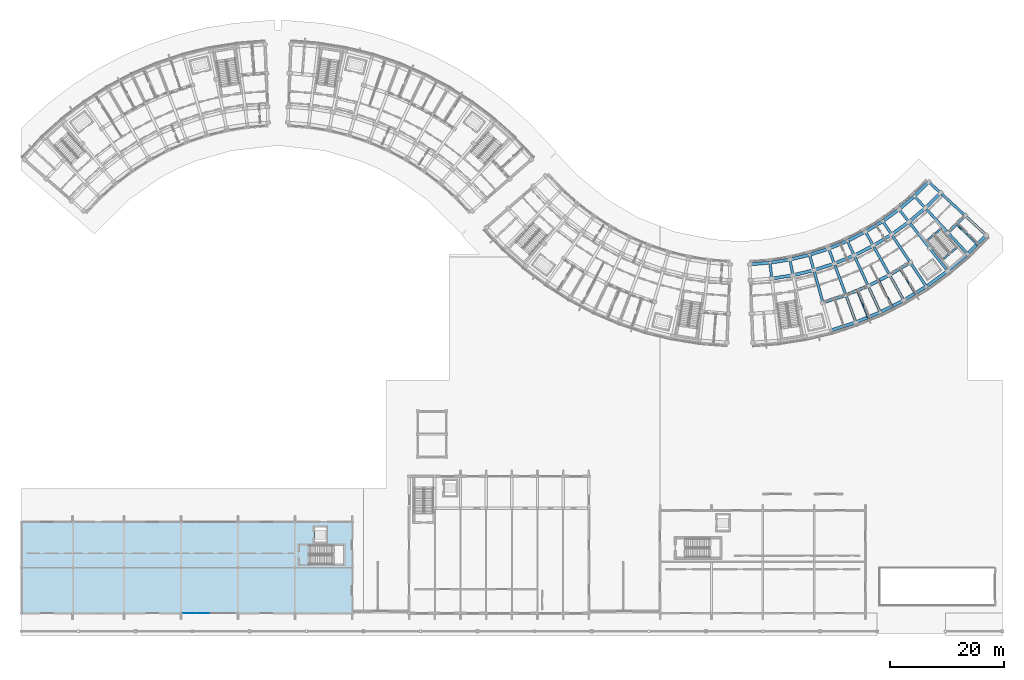
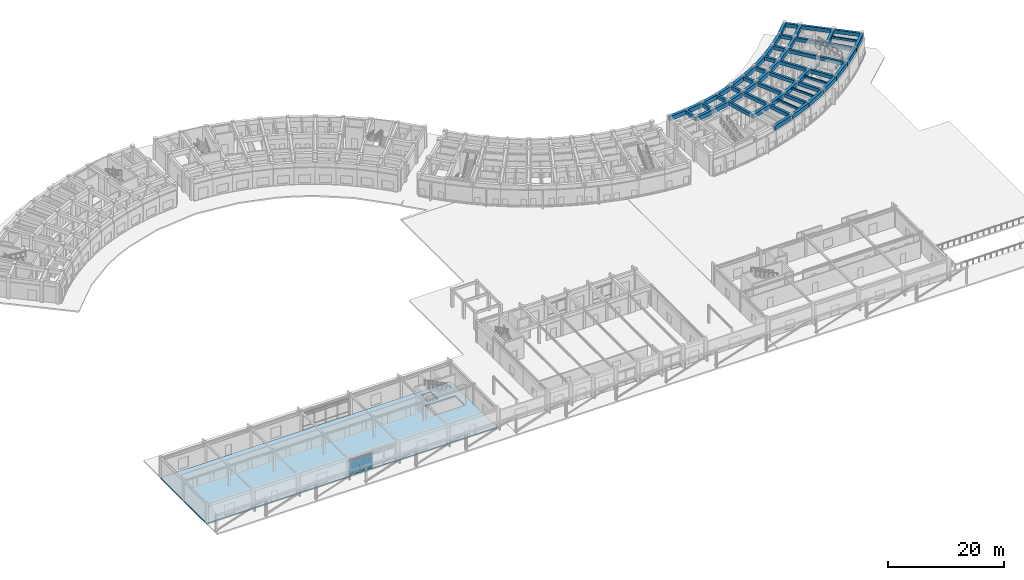
# One storey, part 19 of 61: 62 beams, 6 plates, 1 slab, 1 element without a shape of its own.
"""IFC4 building model written with IfcOpenShell, lengths in metres."""

from ifc_helpers import new_model, si_unit, direction, frame, origin, origin_2d, place, context, subcontext, project, spatial, polyline, rectangle, outline, extrude, material, layer, layer_set, material_profile, profile_set, type_object, element, aggregate, save


model = new_model("IFC4")

# Units and contexts
model_context = context("Model", 3, precision=1e-05, world=origin(), true_north=direction((0.0, 1.0)))
body_context = subcontext(model_context, "Body", "Model", "MODEL_VIEW")
ifc_project = project(units=[si_unit("LENGTHUNIT", "METRE"), si_unit("AREAUNIT", "SQUARE_METRE"), si_unit("VOLUMEUNIT", "CUBIC_METRE"), si_unit("PLANEANGLEUNIT", "RADIAN"), si_unit("MASSUNIT", "GRAM", prefix="KILO")], contexts=[model_context])

# Site, building, storey
site_placement = place(None, origin())
site = spatial("IfcSite", under=ifc_project, at=site_placement, CompositionType="ELEMENT")
building_placement = place(site_placement, origin())
building = spatial("IfcBuilding", under=site, at=building_placement, Name="Zimvara Arc Housing Community", CompositionType="ELEMENT")
storey_placement = place(building_placement, origin())
storey = spatial("IfcBuildingStorey", under=building, at=storey_placement, Name="L00", CompositionType="ELEMENT", Elevation=0.0)

# Beams
ifc_material_1 = material(Name="Concrete C40/50", Category="concrete")
ifc_material_profile_1 = material_profile(ifc_material_1, rectangle(XDim=0.25, YDim=0.449951171875, at=origin_2d()), Name="RC 250x450")
ifc_profile_set_1 = profile_set([ifc_material_profile_1], Name="Concrete C40/50")
beam_type_1 = type_object("IfcBeamType", Name="BM-RC-250x450", PredefinedType="JOIST", material=ifc_profile_set_1)
beam_1_placement = place(storey_placement, frame((146.509033203125, 60.17578125, 4.034912109375), z_axis=(0.381881623909, -0.924211244966, 0.0), x_axis=(0.924211244966, 0.381881623909, 0.0)))
element("IfcBeam", 1, at=beam_1_placement, inside=storey, type_object=beam_type_1, Name="bm:blkD:L00:joist:b4", PredefinedType="JOIST", context=body_context, shape_type="SweptSolid", body=[
    extrude(rectangle(XDim=0.25, YDim=0.449951171875, at=origin_2d()), origin(), (0.0, 0.0, 1.0), 5.076171875),
])
for number, where, z_axis, x_axis, name in (
    (2, (150.343994140625, 61.939453125, 4.034912109375), (0.453225300679, -0.891395998883, 0.0), (0.891395998883, 0.453225300679, 0.0), "bm:blkD:L00:joist:b5"),
    (3, (154.02880859375, 63.998779296875, 4.034912109375), (0.521755418526, -0.85309511969, 0.0), (0.85309511969, 0.521755418526, 0.0), "bm:blkD:L00:joist:b6"),
):
    element("IfcBeam", number, at=place(storey_placement, frame(where, z_axis=z_axis, x_axis=x_axis)), inside=storey, type_object=beam_type_1, Name=name, PredefinedType="JOIST", context=body_context, shape_type="SweptSolid", body=[
        extrude(rectangle(XDim=0.25, YDim=0.449951171875, at=origin_2d()), origin(), (0.0, 0.0, 1.0), 5.075927734375),
    ])
beam_2_placement = place(storey_placement, frame((163.959716796875, 71.813720703125, 4.034912109375), z_axis=(0.706529394337, -0.707683696956, 0.0), x_axis=(0.707683696956, 0.706529394337, 0.0)))
element("IfcBeam", 4, at=beam_2_placement, inside=storey, type_object=beam_type_1, Name="bm:blkD:L00:joist:b9", PredefinedType="JOIST", context=body_context, shape_type="SweptSolid", body=[
    extrude(rectangle(XDim=0.25, YDim=0.449951171875, at=origin_2d()), origin(), (0.0, 0.0, 1.0), 5.076171875),
])
ifc_material_2 = material(Name="Concrete C40/50", Category="concrete")
ifc_material_profile_2 = material_profile(ifc_material_2, rectangle(XDim=0.300048828125, YDim=0.5, at=origin_2d()), Name="RC 300x500")
ifc_profile_set_2 = profile_set([ifc_material_profile_2], Name="Concrete C40/50")
beam_type_2 = type_object("IfcBeamType", Name="BM-RC-300x500", PredefinedType="BEAM", material=ifc_profile_set_2)
beam_3_placement = place(storey_placement, frame((158.617919921875, 68.826904296875, -0.25), z_axis=(0.760986863652, 0.648767287515, 0.0), x_axis=(-0.648767287515, 0.760986863652, 0.0)))
element("IfcBeam", 5, at=beam_3_placement, inside=storey, type_object=beam_type_2, Name="bm:stair_trim:ST-D2:L00:near", PredefinedType="BEAM", context=body_context, shape_type="SweptSolid", body=[
    extrude(rectangle(XDim=0.300048828125, YDim=0.5, at=origin_2d()), origin(), (0.0, 0.0, 1.0), 3.570068359375),
])
beam_4_placement = place(storey_placement, frame((161.451904296875, 65.5029296875, 2.0), z_axis=(0.760958078281, 0.648801050476, 0.0), x_axis=(-0.648801050476, 0.760958078281, 0.0)))
element("IfcBeam", 6, at=beam_4_placement, inside=storey, type_object=beam_type_2, Name="bm:stair_trim:ST-D2:L00:mid", PredefinedType="BEAM", context=body_context, shape_type="SweptSolid", body=[
    extrude(rectangle(XDim=0.300048828125, YDim=0.5, at=origin_2d()), origin(), (0.0, 0.0, 1.0), 3.56982421875),
])
ifc_material_3 = material(Name="Concrete C40/50", Category="concrete")
ifc_material_profile_3 = material_profile(ifc_material_3, rectangle(XDim=0.449951171875, YDim=0.75, at=origin_2d()), Name="RC 450x750")
ifc_profile_set_3 = profile_set([ifc_material_profile_3], Name="Concrete C40/50")
beam_type_3 = type_object("IfcBeamType", Name="BM-RC-450x750", PredefinedType="BEAM", material=ifc_profile_set_3)
beam_5_placement = place(storey_placement, frame((131.244140625, 65.048095703125, 3.885009765625), z_axis=(0.116669233141, -0.993170826212, 0.0), x_axis=(0.993170826212, 0.116669233141, 0.0)))
element("IfcBeam", 7, at=beam_5_placement, inside=storey, type_object=beam_type_3, Name="bm:blkD:L00:rad:b1:r01", PredefinedType="BEAM", context=body_context, shape_type="SweptSolid", body=[
    extrude(rectangle(XDim=0.449951171875, YDim=0.75, at=origin_2d()), origin(), (0.0, 0.0, 1.0), 2.7998046875),
])
for number, where, z_axis, x_axis, name in (
    (8, (134.743896484375, 65.599365234375, 3.885009765625), (0.194170755423, -0.980967745514, 0.0), (0.980967745514, 0.194170755423, 0.0), "bm:blkD:L00:rad:b2:r01"),
    (9, (138.189453125, 66.42333984375, 3.885009765625), (0.270642050381, -0.962680050986, 0.0), (0.962680050986, 0.270642050381, 0.0), "bm:blkD:L00:rad:b3:r01"),
):
    element("IfcBeam", number, at=place(storey_placement, frame(where, z_axis=z_axis, x_axis=x_axis)), inside=storey, type_object=beam_type_3, Name=name, PredefinedType="BEAM", context=body_context, shape_type="SweptSolid", body=[
        extrude(rectangle(XDim=0.449951171875, YDim=0.75, at=origin_2d()), origin(), (0.0, 0.0, 1.0), 2.800048828125),
    ])
beam_6_placement = place(storey_placement, frame((138.947265625, 63.727783203125, 3.885009765625), z_axis=(0.270589260785, -0.962694890372, 0.0), x_axis=(0.962694890372, 0.270589260785, 0.0)))
element("IfcBeam", 10, at=beam_6_placement, inside=storey, type_object=beam_type_3, Name="bm:blkD:L00:rad:b3:r12", PredefinedType="BEAM", context=body_context, shape_type="SweptSolid", body=[
    extrude(rectangle(XDim=0.449951171875, YDim=0.75, at=origin_2d()), origin(), (0.0, 0.0, 1.0), 5.8798828125),
])
beam_7_placement = place(storey_placement, frame((141.559814453125, 67.51513671875, 3.885009765625), z_axis=(0.345297205079, -0.93849338845, 0.0), x_axis=(0.93849338845, 0.345297205079, 0.0)))
element("IfcBeam", 11, at=beam_7_placement, inside=storey, type_object=beam_type_3, Name="bm:blkD:L00:rad:b4:r01", PredefinedType="BEAM", context=body_context, shape_type="SweptSolid", body=[
    extrude(rectangle(XDim=0.449951171875, YDim=0.75, at=origin_2d()), origin(), (0.0, 0.0, 1.0), 2.7998046875),
])
beam_8_placement = place(storey_placement, frame((142.526611328125, 64.887451171875, 3.885009765625), z_axis=(0.345324356241, -0.938483398354, 0.0), x_axis=(0.938483398354, 0.345324356241, 0.0)))
element("IfcBeam", 12, at=beam_8_placement, inside=storey, type_object=beam_type_3, Name="bm:blkD:L00:rad:b4:r12", PredefinedType="BEAM", context=body_context, shape_type="SweptSolid", body=[
    extrude(rectangle(XDim=0.449951171875, YDim=0.75, at=origin_2d()), origin(), (0.0, 0.0, 1.0), 5.880126953125),
])
beam_9_placement = place(storey_placement, frame((144.55712890625, 59.369140625, 3.885009765625), z_axis=(0.345302219392, -0.938491543533, 0.0), x_axis=(0.938491543533, 0.345302219392, 0.0)))
element("IfcBeam", 13, at=beam_9_placement, inside=storey, type_object=beam_type_3, Name="bm:blkD:L00:rad:b4:r23", PredefinedType="BEAM", context=body_context, shape_type="SweptSolid", body=[
    extrude(rectangle(XDim=0.449951171875, YDim=0.75, at=origin_2d()), origin(), (0.0, 0.0, 1.0), 5.080078125),
])
beam_10_placement = place(storey_placement, frame((144.834228515625, 68.8681640625, 3.885009765625), z_axis=(0.417819250126, -0.908530172435, 0.0), x_axis=(0.908530172435, 0.417819250126, 0.0)))
element("IfcBeam", 14, at=beam_10_placement, inside=storey, type_object=beam_type_3, Name="bm:blkD:L00:rad:b5:r01", PredefinedType="BEAM", context=body_context, shape_type="SweptSolid", body=[
    extrude(rectangle(XDim=0.449951171875, YDim=0.75, at=origin_2d()), origin(), (0.0, 0.0, 1.0), 2.800048828125),
])
beam_11_placement = place(storey_placement, frame((146.004150390625, 66.32421875, 3.885009765625), z_axis=(0.417862428621, -0.908510314056, 0.0), x_axis=(0.908510314056, 0.417862428621, 0.0)))
element("IfcBeam", 15, at=beam_11_placement, inside=storey, type_object=beam_type_3, Name="bm:blkD:L00:rad:b5:r12", PredefinedType="BEAM", context=body_context, shape_type="SweptSolid", body=[
    extrude(rectangle(XDim=0.449951171875, YDim=0.75, at=origin_2d()), origin(), (0.0, 0.0, 1.0), 5.8798828125),
])
beam_12_placement = place(storey_placement, frame((148.461181640625, 60.982177734375, 3.885009765625), z_axis=(0.417872288794, -0.90850577888, 0.0), x_axis=(0.90850577888, 0.417872288794, 0.0)))
element("IfcBeam", 16, at=beam_12_placement, inside=storey, type_object=beam_type_3, Name="bm:blkD:L00:rad:b5:r23", PredefinedType="BEAM", context=body_context, shape_type="SweptSolid", body=[
    extrude(rectangle(XDim=0.449951171875, YDim=0.75, at=origin_2d()), origin(), (0.0, 0.0, 1.0), 5.080078125),
])
beam_13_placement = place(storey_placement, frame((147.9921875, 70.473876953125, 3.885009765625), z_axis=(0.487825265957, -0.87294129808, 0.0), x_axis=(0.87294129808, 0.487825265957, 0.0)))
element("IfcBeam", 17, at=beam_13_placement, inside=storey, type_object=beam_type_3, Name="bm:blkD:L00:rad:b6:r01", PredefinedType="BEAM", context=body_context, shape_type="SweptSolid", body=[
    extrude(rectangle(XDim=0.449951171875, YDim=0.75, at=origin_2d()), origin(), (0.0, 0.0, 1.0), 2.800048828125),
])
beam_14_placement = place(storey_placement, frame((149.358154296875, 68.029541015625, 3.885009765625), z_axis=(0.487862302556, -0.872920599909, 0.0), x_axis=(0.872920599909, 0.487862302556, 0.0)))
element("IfcBeam", 18, at=beam_14_placement, inside=storey, type_object=beam_type_3, Name="bm:blkD:L00:rad:b6:r12", PredefinedType="BEAM", context=body_context, shape_type="SweptSolid", body=[
    extrude(rectangle(XDim=0.449951171875, YDim=0.75, at=origin_2d()), origin(), (0.0, 0.0, 1.0), 5.880126953125),
])
beam_15_placement = place(storey_placement, frame((152.226806640625, 62.896728515625, 3.885009765625), z_axis=(0.48786121213, -0.872921209331, 0.0), x_axis=(0.872921209331, 0.48786121213, 0.0)))
element("IfcBeam", 19, at=beam_15_placement, inside=storey, type_object=beam_type_3, Name="bm:blkD:L00:rad:b6:r23", PredefinedType="BEAM", context=body_context, shape_type="SweptSolid", body=[
    extrude(rectangle(XDim=0.449951171875, YDim=0.75, at=origin_2d()), origin(), (0.0, 0.0, 1.0), 5.079833984375),
])
beam_16_placement = place(storey_placement, frame((151.0146484375, 72.322265625, 3.885009765625), z_axis=(0.55480079798, -0.831983217716, 0.0), x_axis=(0.831983217716, 0.55480079798, 0.0)))
element("IfcBeam", 20, at=beam_16_placement, inside=storey, type_object=beam_type_3, Name="bm:blkD:L00:rad:b7:r01", PredefinedType="BEAM", context=body_context, shape_type="SweptSolid", body=[
    extrude(rectangle(XDim=0.449951171875, YDim=0.75, at=origin_2d()), origin(), (0.0, 0.0, 1.0), 2.800048828125),
])
beam_17_placement = place(storey_placement, frame((152.568115234375, 69.99267578125, 3.885009765625), z_axis=(0.554843914175, -0.831954464441, 0.0), x_axis=(0.831954464441, 0.554843914175, 0.0)))
element("IfcBeam", 21, at=beam_17_placement, inside=storey, type_object=beam_type_3, Name="bm:blkD:L00:rad:b7:r12", PredefinedType="BEAM", context=body_context, shape_type="SweptSolid", body=[
    extrude(rectangle(XDim=0.449951171875, YDim=0.75, at=origin_2d()), origin(), (0.0, 0.0, 1.0), 5.8798828125),
])
beam_18_placement = place(storey_placement, frame((155.83056640625, 65.100830078125, 3.885009765625), z_axis=(0.554844365732, -0.83195416329, 0.0), x_axis=(0.83195416329, 0.554844365732, 0.0)))
element("IfcBeam", 22, at=beam_18_placement, inside=storey, type_object=beam_type_3, Name="bm:blkD:L00:rad:b7:r23", PredefinedType="BEAM", context=body_context, shape_type="SweptSolid", body=[
    extrude(rectangle(XDim=0.449951171875, YDim=0.75, at=origin_2d()), origin(), (0.0, 0.0, 1.0), 5.080078125),
])
beam_19_placement = place(storey_placement, frame((153.882568359375, 74.402099609375, 3.885009765625), z_axis=(0.618379767762, -0.785879420028, 0.0), x_axis=(0.785879420028, 0.618379767762, 0.0)))
element("IfcBeam", 23, at=beam_19_placement, inside=storey, type_object=beam_type_3, Name="bm:blkD:L00:rad:b8:r01", PredefinedType="BEAM", context=body_context, shape_type="SweptSolid", body=[
    extrude(rectangle(XDim=0.449951171875, YDim=0.75, at=origin_2d()), origin(), (0.0, 0.0, 1.0), 2.800048828125),
])
beam_20_placement = place(storey_placement, frame((155.614013671875, 72.20166015625, 3.885009765625), z_axis=(0.618431976389, -0.785838336161, 0.0), x_axis=(0.785838336161, 0.618431976389, 0.0)))
element("IfcBeam", 24, at=beam_20_placement, inside=storey, type_object=beam_type_3, Name="bm:blkD:L00:rad:b8:r12", PredefinedType="BEAM", context=body_context, shape_type="SweptSolid", body=[
    extrude(rectangle(XDim=0.449951171875, YDim=0.75, at=origin_2d()), origin(), (0.0, 0.0, 1.0), 5.880126953125),
])
beam_21_placement = place(storey_placement, frame((159.25048828125, 67.580810546875, 3.885009765625), z_axis=(0.618409338539, -0.785856150964, 0.0), x_axis=(0.785856150964, 0.618409338539, 0.0)))
element("IfcBeam", 25, at=beam_21_placement, inside=storey, type_object=beam_type_3, Name="bm:blkD:L00:rad:b8:r23", PredefinedType="BEAM", context=body_context, shape_type="SweptSolid", body=[
    extrude(rectangle(XDim=0.449951171875, YDim=0.75, at=origin_2d()), origin(), (0.0, 0.0, 1.0), 5.079833984375),
])
beam_22_placement = place(storey_placement, frame((156.57861328125, 76.70068359375, 3.885009765625), z_axis=(0.678109874626, -0.734960541754, 0.0), x_axis=(0.734960541754, 0.678109874626, 0.0)))
element("IfcBeam", 26, at=beam_22_placement, inside=storey, type_object=beam_type_3, Name="bm:blkD:L00:rad:b9:r01", PredefinedType="BEAM", context=body_context, shape_type="SweptSolid", body=[
    extrude(rectangle(XDim=0.449951171875, YDim=0.75, at=origin_2d()), origin(), (0.0, 0.0, 1.0), 2.800048828125),
])
beam_23_placement = place(storey_placement, frame((158.477294921875, 74.642822265625, 3.885009765625), z_axis=(0.678180078146, -0.734895762409, 0.0), x_axis=(0.734895762409, 0.678180078146, 0.0)))
element("IfcBeam", 27, at=beam_23_placement, inside=storey, type_object=beam_type_3, Name="bm:blkD:L00:rad:b9:r12", PredefinedType="BEAM", context=body_context, shape_type="SweptSolid", body=[
    extrude(rectangle(XDim=0.449951171875, YDim=0.75, at=origin_2d()), origin(), (0.0, 0.0, 1.0), 5.880126953125),
])
beam_24_placement = place(storey_placement, frame((162.465087890625, 70.321533203125, 3.885009765625), z_axis=(0.678158334116, -0.734915827744, 0.0), x_axis=(0.734915827744, 0.678158334116, 0.0)))
element("IfcBeam", 28, at=beam_24_placement, inside=storey, type_object=beam_type_3, Name="bm:blkD:L00:rad:b9:r23", PredefinedType="BEAM", context=body_context, shape_type="SweptSolid", body=[
    extrude(rectangle(XDim=0.449951171875, YDim=0.75, at=origin_2d()), origin(), (0.0, 0.0, 1.0), 5.080078125),
])
beam_25_placement = place(storey_placement, frame((159.0859375, 79.20361328125, 3.885009765625), z_axis=(0.733746184278, -0.679423680083, 0.0), x_axis=(0.679423680083, 0.733746184278, 0.0)))
element("IfcBeam", 29, at=beam_25_placement, inside=storey, type_object=beam_type_3, Name="bm:blkD:L00:rad:b10:r01", PredefinedType="BEAM", context=body_context, shape_type="SweptSolid", body=[
    extrude(rectangle(XDim=0.449951171875, YDim=0.75, at=origin_2d()), origin(), (0.0, 0.0, 1.0), 2.800048828125),
])
beam_26_placement = place(storey_placement, frame((161.140380859375, 77.30126953125, 3.885009765625), z_axis=(0.733720040868, -0.679451912668, 0.0), x_axis=(0.679451912668, 0.733720040868, 0.0)))
element("IfcBeam", 30, at=beam_26_placement, inside=storey, type_object=beam_type_3, Name="bm:blkD:L00:rad:b10:r12", PredefinedType="BEAM", context=body_context, shape_type="SweptSolid", body=[
    extrude(rectangle(XDim=0.449951171875, YDim=0.75, at=origin_2d()), origin(), (0.0, 0.0, 1.0), 5.8798828125),
])
beam_27_placement = place(storey_placement, frame((165.45458984375, 73.30615234375, 3.885009765625), z_axis=(0.733737603291, -0.679432947035, 0.0), x_axis=(0.679432947035, 0.733737603291, 0.0)))
element("IfcBeam", 31, at=beam_27_placement, inside=storey, type_object=beam_type_3, Name="bm:blkD:L00:rad:b10:r23", PredefinedType="BEAM", context=body_context, shape_type="SweptSolid", body=[
    extrude(rectangle(XDim=0.449951171875, YDim=0.75, at=origin_2d()), origin(), (0.0, 0.0, 1.0), 5.080322265625),
])
ifc_material_4 = material(Name="Concrete C40/50", Category="concrete")
ifc_material_profile_4 = material_profile(ifc_material_4, rectangle(XDim=0.56005859375, YDim=0.8798828125, at=origin_2d()), Name="RC 560x880")
ifc_profile_set_4 = profile_set([ifc_material_profile_4], Name="Concrete C40/50")
beam_type_4 = type_object("IfcBeamType", Name="BM-RC-560x880", PredefinedType="BEAM", material=ifc_profile_set_4)
beam_28_placement = place(storey_placement, frame((127.712158203125, 64.773193359375, 3.820068359375), z_axis=(0.996984758472, 0.077597624804, 0.0), x_axis=(-0.077597624804, 0.996984758472, 0.0)))
element("IfcBeam", 32, at=beam_28_placement, inside=storey, type_object=beam_type_4, Name="bm:blkD:L00:chord:r0:b0", PredefinedType="BEAM", context=body_context, shape_type="SweptSolid", body=[
    extrude(rectangle(XDim=0.56005859375, YDim=0.8798828125, at=origin_2d()), origin(), (0.0, 0.0, 1.0), 3.542724609375),
])
beam_29_placement = place(storey_placement, frame((131.244140625, 65.048095703125, 3.820068359375), z_axis=(0.98782044699, 0.155598086453, 0.0), x_axis=(-0.155598086453, 0.98782044699, 0.0)))
element("IfcBeam", 33, at=beam_29_placement, inside=storey, type_object=beam_type_4, Name="bm:blkD:L00:chord:r0:b1", PredefinedType="BEAM", context=body_context, shape_type="SweptSolid", body=[
    extrude(rectangle(XDim=0.56005859375, YDim=0.8798828125, at=origin_2d()), origin(), (0.0, 0.0, 1.0), 3.54296875),
])
for number, where, z_axis, x_axis, name in (
    (34, (134.743896484375, 65.599365234375, 3.820068359375), (0.972576519525, 0.232583132813, 0.0), (-0.232583132813, 0.972576519525, 0.0), "bm:blkD:L00:chord:r0:b2"),
    (35, (138.189453125, 66.42333984375, 3.820068359375), (0.951329887165, 0.308174375618, 0.0), (-0.308174375618, 0.951329887165, 0.0), "bm:blkD:L00:chord:r0:b3"),
):
    element("IfcBeam", number, at=place(storey_placement, frame(where, z_axis=z_axis, x_axis=x_axis)), inside=storey, type_object=beam_type_4, Name=name, PredefinedType="BEAM", context=body_context, shape_type="SweptSolid", body=[
        extrude(rectangle(XDim=0.56005859375, YDim=0.8798828125, at=origin_2d()), origin(), (0.0, 0.0, 1.0), 3.542724609375),
    ])
beam_30_placement = place(storey_placement, frame((141.559814453125, 67.51513671875, 3.820068359375), z_axis=(0.924206445561, 0.381893238987, 0.0), x_axis=(-0.381893238987, 0.924206445561, 0.0)))
element("IfcBeam", 36, at=beam_30_placement, inside=storey, type_object=beam_type_4, Name="bm:blkD:L00:chord:r0:b4", PredefinedType="BEAM", context=body_context, shape_type="SweptSolid", body=[
    extrude(rectangle(XDim=0.56005859375, YDim=0.8798828125, at=origin_2d()), origin(), (0.0, 0.0, 1.0), 3.54296875),
])
beam_31_placement = place(storey_placement, frame((144.834228515625, 68.8681640625, 3.820068359375), z_axis=(0.891388433472, 0.453240179895, 0.0), x_axis=(-0.453240179895, 0.891388433472, 0.0)))
element("IfcBeam", 37, at=beam_31_placement, inside=storey, type_object=beam_type_4, Name="bm:blkD:L00:chord:r0:b5", PredefinedType="BEAM", context=body_context, shape_type="SweptSolid", body=[
    extrude(rectangle(XDim=0.56005859375, YDim=0.8798828125, at=origin_2d()), origin(), (0.0, 0.0, 1.0), 3.542724609375),
])
beam_32_placement = place(storey_placement, frame((147.9921875, 70.473876953125, 3.820068359375), z_axis=(0.853114855616, 0.52172314797, 0.0), x_axis=(-0.52172314797, 0.853114855616, 0.0)))
element("IfcBeam", 38, at=beam_32_placement, inside=storey, type_object=beam_type_4, Name="bm:blkD:L00:chord:r0:b6", PredefinedType="BEAM", context=body_context, shape_type="SweptSolid", body=[
    extrude(rectangle(XDim=0.56005859375, YDim=0.8798828125, at=origin_2d()), origin(), (0.0, 0.0, 1.0), 3.54296875),
])
beam_33_placement = place(storey_placement, frame((151.0146484375, 72.322265625, 3.820068359375), z_axis=(0.809531019898, 0.587077105517, 0.0), x_axis=(-0.587077105517, 0.809531019898, 0.0)))
element("IfcBeam", 39, at=beam_33_placement, inside=storey, type_object=beam_type_4, Name="bm:blkD:L00:chord:r0:b7", PredefinedType="BEAM", context=body_context, shape_type="SweptSolid", body=[
    extrude(rectangle(XDim=0.56005859375, YDim=0.8798828125, at=origin_2d()), origin(), (0.0, 0.0, 1.0), 3.542724609375),
])
beam_34_placement = place(storey_placement, frame((153.882568359375, 74.402099609375, 3.820068359375), z_axis=(0.760971029961, 0.648785859556, 0.0), x_axis=(-0.648785859556, 0.760971029961, 0.0)))
element("IfcBeam", 40, at=beam_34_placement, inside=storey, type_object=beam_type_4, Name="bm:blkD:L00:chord:r0:b8", PredefinedType="BEAM", context=body_context, shape_type="SweptSolid", body=[
    extrude(rectangle(XDim=0.56005859375, YDim=0.8798828125, at=origin_2d()), origin(), (0.0, 0.0, 1.0), 3.54296875),
])
beam_35_placement = place(storey_placement, frame((156.57861328125, 76.70068359375, 3.820068359375), z_axis=(0.70772671761, 0.706486300773, 0.0), x_axis=(-0.706486300773, 0.70772671761, 0.0)))
element("IfcBeam", 41, at=beam_35_placement, inside=storey, type_object=beam_type_4, Name="bm:blkD:L00:chord:r0:b9", PredefinedType="BEAM", context=body_context, shape_type="SweptSolid", body=[
    extrude(rectangle(XDim=0.56005859375, YDim=0.8798828125, at=origin_2d()), origin(), (0.0, 0.0, 1.0), 3.542724609375),
])
beam_36_placement = place(storey_placement, frame((131.57080078125, 62.267333984375, 3.820068359375), z_axis=(0.987830739488, 0.155532730068, 0.0), x_axis=(-0.155532730068, 0.987830739488, 0.0)))
element("IfcBeam", 42, at=beam_36_placement, inside=storey, type_object=beam_type_4, Name="bm:blkD:L00:chord:r1:b1", PredefinedType="BEAM", context=body_context, shape_type="SweptSolid", body=[
    extrude(rectangle(XDim=0.56005859375, YDim=0.8798828125, at=origin_2d()), origin(), (0.0, 0.0, 1.0), 3.7626953125),
])
beam_37_placement = place(storey_placement, frame((135.28759765625, 62.8525390625, 3.820068359375), z_axis=(0.97257251046, 0.232599896598, 0.0), x_axis=(-0.232599896598, 0.97257251046, 0.0)))
element("IfcBeam", 43, at=beam_37_placement, inside=storey, type_object=beam_type_4, Name="bm:blkD:L00:chord:r1:b2", PredefinedType="BEAM", context=body_context, shape_type="SweptSolid", body=[
    extrude(rectangle(XDim=0.56005859375, YDim=0.8798828125, at=origin_2d()), origin(), (0.0, 0.0, 1.0), 3.762939453125),
])
beam_38_placement = place(storey_placement, frame((138.947265625, 63.727783203125, 3.820068359375), z_axis=(0.951316439628, 0.308215884881, 0.0), x_axis=(-0.308215884881, 0.951316439628, 0.0)))
element("IfcBeam", 44, at=beam_38_placement, inside=storey, type_object=beam_type_4, Name="bm:blkD:L00:chord:r1:b3", PredefinedType="BEAM", context=body_context, shape_type="SweptSolid", body=[
    extrude(rectangle(XDim=0.56005859375, YDim=0.8798828125, at=origin_2d()), origin(), (0.0, 0.0, 1.0), 3.762451171875),
])
for number, where, z_axis, x_axis, name in (
    (45, (142.526611328125, 64.887451171875, 3.820068359375), (0.924224591922, 0.381849320658, 0.0), (-0.381849320658, 0.924224591922, 0.0), "bm:blkD:L00:chord:r1:b4"),
    (46, (146.004150390625, 66.32421875, 3.820068359375), (0.891396237924, 0.453224830536, 0.0), (-0.453224830536, 0.891396237924, 0.0), "bm:blkD:L00:chord:r1:b5"),
    (47, (149.358154296875, 68.029541015625, 3.820068359375), (0.853105356478, 0.521738680517, 0.0), (-0.521738680517, 0.853105356478, 0.0), "bm:blkD:L00:chord:r1:b6"),
    (48, (152.568115234375, 69.99267578125, 3.820068359375), (0.809521012702, 0.58709090437, 0.0), (-0.58709090437, 0.809521012702, 0.0), "bm:blkD:L00:chord:r1:b7"),
    (49, (155.614013671875, 72.20166015625, 3.820068359375), (0.760971502801, 0.648785304955, 0.0), (-0.648785304955, 0.760971502801, 0.0), "bm:blkD:L00:chord:r1:b8"),
):
    element("IfcBeam", number, at=place(storey_placement, frame(where, z_axis=z_axis, x_axis=x_axis)), inside=storey, type_object=beam_type_4, Name=name, PredefinedType="BEAM", context=body_context, shape_type="SweptSolid", body=[
        extrude(rectangle(XDim=0.56005859375, YDim=0.8798828125, at=origin_2d()), origin(), (0.0, 0.0, 1.0), 3.7626953125),
    ])
beam_39_placement = place(storey_placement, frame((158.477294921875, 74.642822265625, 3.820068359375), z_axis=(0.707722882862, 0.706490142234, 0.0), x_axis=(-0.706490142234, 0.707722882862, 0.0)))
element("IfcBeam", 50, at=beam_39_placement, inside=storey, type_object=beam_type_4, Name="bm:blkD:L00:chord:r1:b9", PredefinedType="BEAM", context=body_context, shape_type="SweptSolid", body=[
    extrude(rectangle(XDim=0.56005859375, YDim=0.8798828125, at=origin_2d()), origin(), (0.0, 0.0, 1.0), 3.762939453125),
])
beam_40_placement = place(storey_placement, frame((140.538330078125, 58.067138671875, 3.820068359375), z_axis=(0.951319487454, 0.308206477528, 0.0), x_axis=(-0.308206477528, 0.951319487454, 0.0)))
element("IfcBeam", 51, at=beam_40_placement, inside=storey, type_object=beam_type_4, Name="bm:blkD:L00:chord:r2:b3", PredefinedType="BEAM", context=body_context, shape_type="SweptSolid", body=[
    extrude(rectangle(XDim=0.56005859375, YDim=0.8798828125, at=origin_2d()), origin(), (0.0, 0.0, 1.0), 4.224365234375),
])
beam_41_placement = place(storey_placement, frame((144.55712890625, 59.369140625, 3.820068359375), z_axis=(0.924220191381, 0.381859971512, 0.0), x_axis=(-0.381859971512, 0.924220191381, 0.0)))
element("IfcBeam", 52, at=beam_41_placement, inside=storey, type_object=beam_type_4, Name="bm:blkD:L00:chord:r2:b4", PredefinedType="BEAM", context=body_context, shape_type="SweptSolid", body=[
    extrude(rectangle(XDim=0.56005859375, YDim=0.8798828125, at=origin_2d()), origin(), (0.0, 0.0, 1.0), 4.22412109375),
])
for number, where, z_axis, x_axis, name in (
    (53, (148.461181640625, 60.982177734375, 3.820068359375), (0.891401751243, 0.453213986855, 0.0), (-0.453213986855, 0.891401751243, 0.0), "bm:blkD:L00:chord:r2:b5"),
    (54, (152.226806640625, 62.896728515625, 3.820068359375), (0.853091772331, 0.521760891579, 0.0), (-0.521760891579, 0.853091772331, 0.0), "bm:blkD:L00:chord:r2:b6"),
    (55, (162.465087890625, 70.321533203125, 3.820068359375), (0.707684482516, 0.706528607493, 0.0), (-0.706528607493, 0.707684482516, 0.0), "bm:blkD:L00:chord:r2:b9"),
):
    element("IfcBeam", number, at=place(storey_placement, frame(where, z_axis=z_axis, x_axis=x_axis)), inside=storey, type_object=beam_type_4, Name=name, PredefinedType="BEAM", context=body_context, shape_type="SweptSolid", body=[
        extrude(rectangle(XDim=0.56005859375, YDim=0.8798828125, at=origin_2d()), origin(), (0.0, 0.0, 1.0), 4.224365234375),
    ])
beam_42_placement = place(storey_placement, frame((141.912841796875, 53.1767578125, 3.820068359375), z_axis=(0.951331650007, 0.308168933695, 0.0), x_axis=(-0.308168933695, 0.951331650007, 0.0)))
element("IfcBeam", 56, at=beam_42_placement, inside=storey, type_object=beam_type_4, Name="bm:blkD:L00:chord:r3:b3", PredefinedType="BEAM", context=body_context, shape_type="SweptSolid", body=[
    extrude(rectangle(XDim=0.56005859375, YDim=0.8798828125, at=origin_2d()), origin(), (0.0, 0.0, 1.0), 4.62353515625),
])
beam_43_placement = place(storey_placement, frame((146.311279296875, 54.6015625, 3.820068359375), z_axis=(0.924218077134, 0.38186508861, 0.0), x_axis=(-0.38186508861, 0.924218077134, 0.0)))
element("IfcBeam", 57, at=beam_43_placement, inside=storey, type_object=beam_type_4, Name="bm:blkD:L00:chord:r3:b4", PredefinedType="BEAM", context=body_context, shape_type="SweptSolid", body=[
    extrude(rectangle(XDim=0.56005859375, YDim=0.8798828125, at=origin_2d()), origin(), (0.0, 0.0, 1.0), 4.623046875),
])
for number, where, z_axis, x_axis, name in (
    (58, (150.583984375, 56.366943359375, 3.820068359375), (0.891386215037, 0.453244542871, 0.0), (-0.453244542871, 0.891386215037, 0.0), "bm:blkD:L00:chord:r3:b5"),
    (59, (154.705078125, 58.46240234375, 3.820068359375), (0.853105562062, 0.521738344363, 0.0), (-0.521738344363, 0.853105562062, 0.0), "bm:blkD:L00:chord:r3:b6"),
    (60, (158.649169921875, 60.87451171875, 3.820068359375), (0.809516329672, 0.587097361598, 0.0), (-0.587097361598, 0.809516329672, 0.0), "bm:blkD:L00:chord:r3:b7"),
    (61, (162.391845703125, 63.5888671875, 3.820068359375), (0.761009534972, 0.648740693715, 0.0), (-0.648740693715, 0.761009534972, 0.0), "bm:blkD:L00:chord:r3:b8"),
    (62, (165.91015625, 66.588134765625, 3.820068359375), (0.707713796096, 0.706499244738, 0.0), (-0.706499244738, 0.707713796096, 0.0), "bm:blkD:L00:chord:r3:b9"),
):
    element("IfcBeam", number, at=place(storey_placement, frame(where, z_axis=z_axis, x_axis=x_axis)), inside=storey, type_object=beam_type_4, Name=name, PredefinedType="BEAM", context=body_context, shape_type="SweptSolid", body=[
        extrude(rectangle(XDim=0.56005859375, YDim=0.8798828125, at=origin_2d()), origin(), (0.0, 0.0, 1.0), 4.623291015625),
    ])

# Curtain wall, plates
ifc_material_5 = material(Name="Anodised Aluminium AW-6063", Category="aluminium")
curtain_wall_type = type_object("IfcCurtainWallType", Name="CW-SYS-05", PredefinedType="USERDEFINED", material=ifc_material_5)
curtain_wall_placement = place(storey_placement, origin())
curtain_wall = element("IfcCurtainWall", 63, at=curtain_wall_placement, inside=storey, type_object=curtain_wall_type, Name="cw:shops:L00:south:b3", ObjectType="CURTAIN WALL", PredefinedType="USERDEFINED")
ifc_material_6 = material(Name="Solar Control Low-E Double Glazing", Category="glass")
ifc_layer_1 = layer(ifc_material_6, 0.02392578125)
ifc_layer_set_1 = layer_set([ifc_layer_1], Name="Solar Control Low-E Double Glazing")
plate_type = type_object("IfcPlateType", Name="CWP-GLZ-24", PredefinedType="CURTAIN_PANEL", material=ifc_layer_set_1)
plate_1_placement = place(storey_placement, frame((29.5361328125, 3.60009765625, 0.06494140625), z_axis=(0.0, 0.0, 1.0), x_axis=(1.0, 0.0, 0.0)))
plate_1 = element("IfcPlate", 64, at=plate_1_placement, type_object=plate_type, Name="CW05 panel 1.1", PredefinedType="CURTAIN_PANEL", context=body_context, shape_type="SweptSolid", body=[
    extrude(rectangle(XDim=2.222412109375, YDim=0.02392578125, at=origin_2d()), origin(), (0.0, 0.0, 1.0), 0.75244140625),
])
plate_2_placement = place(storey_placement, frame((29.5361328125, 3.60009765625, 0.88232421875), z_axis=(0.0, 0.0, 1.0), x_axis=(1.0, 0.0, 0.0)))
plate_2 = element("IfcPlate", 65, at=plate_2_placement, type_object=plate_type, Name="CW05 panel 1.2", PredefinedType="CURTAIN_PANEL", context=body_context, shape_type="SweptSolid", body=[
    extrude(rectangle(XDim=2.222412109375, YDim=0.02392578125, at=origin_2d()), origin(), (0.0, 0.0, 1.0), 2.135009765625),
])
plate_3_placement = place(storey_placement, frame((29.5361328125, 3.60009765625, 3.08251953125), z_axis=(0.0, 0.0, 1.0), x_axis=(1.0, 0.0, 0.0)))
plate_3 = element("IfcPlate", 66, at=plate_3_placement, type_object=plate_type, Name="CW05 panel 1.3", PredefinedType="CURTAIN_PANEL", context=body_context, shape_type="SweptSolid", body=[
    extrude(rectangle(XDim=2.222412109375, YDim=0.02392578125, at=origin_2d()), origin(), (0.0, 0.0, 1.0), 0.3525390625),
])
plate_4_placement = place(storey_placement, frame((31.840087890625, 3.60009765625, 0.06494140625), z_axis=(0.0, 0.0, 1.0), x_axis=(1.0, 0.0, 0.0)))
plate_4 = element("IfcPlate", 67, at=plate_4_placement, type_object=plate_type, Name="CW05 panel 2.1", PredefinedType="CURTAIN_PANEL", context=body_context, shape_type="SweptSolid", body=[
    extrude(rectangle(XDim=2.2548828125, YDim=0.02392578125, at=origin_2d()), origin(), (0.0, 0.0, 1.0), 0.75244140625),
])
plate_5_placement = place(storey_placement, frame((31.840087890625, 3.60009765625, 0.88232421875), z_axis=(0.0, 0.0, 1.0), x_axis=(1.0, 0.0, 0.0)))
plate_5 = element("IfcPlate", 68, at=plate_5_placement, type_object=plate_type, Name="CW05 panel 2.2", PredefinedType="CURTAIN_PANEL", context=body_context, shape_type="SweptSolid", body=[
    extrude(rectangle(XDim=2.2548828125, YDim=0.02392578125, at=origin_2d()), origin(), (0.0, 0.0, 1.0), 2.135009765625),
])
plate_6_placement = place(storey_placement, frame((31.840087890625, 3.60009765625, 3.08251953125), z_axis=(0.0, 0.0, 1.0), x_axis=(1.0, 0.0, 0.0)))
plate_6 = element("IfcPlate", 69, at=plate_6_placement, type_object=plate_type, Name="CW05 panel 2.3", PredefinedType="CURTAIN_PANEL", context=body_context, shape_type="SweptSolid", body=[
    extrude(rectangle(XDim=2.2548828125, YDim=0.02392578125, at=origin_2d()), origin(), (0.0, 0.0, 1.0), 0.3525390625),
])
aggregate(curtain_wall, [plate_1, plate_2, plate_3, plate_4, plate_5, plate_6])

# Slab
ifc_material_7 = material(Name="Concrete C40/50", Category="concrete")
ifc_layer_2 = layer(ifc_material_7, 0.300048828125)
ifc_layer_set_2 = layer_set([ifc_layer_2], Name="Concrete C40/50")
slab_type = type_object("IfcSlabType", Name="SLB-POD-300", PredefinedType="FLOOR", material=ifc_layer_set_2)
slab_placement = place(storey_placement, frame((0.0, 0.0, -0.300048828125)))
element("IfcSlab", 70, at=slab_placement, inside=storey, type_object=slab_type, Name="slab:shops:L00:floor", PredefinedType="FLOOR", context=body_context, shape_type="SweptSolid", body=[
    extrude(outline(polyline([(0.0, 3.60009765625), (58.0, 3.60009765625), (58.0, 19.60009765625), (0.0, 19.60009765625), (0.0, 3.60009765625)]), holes=[polyline([(50.3798828125, 15.47998046875), (56.5, 15.47998046875), (56.5, 12.199951171875), (50.3798828125, 12.199951171875), (50.3798828125, 15.47998046875)]), polyline([(51.39990234375, 18.639892578125), (53.43994140625, 18.639892578125), (53.43994140625, 16.10009765625), (51.39990234375, 16.10009765625), (51.39990234375, 18.639892578125)])]), origin(), (0.0, 0.0, 1.0), 0.300048828125),
])

save(model, "model.ifc")
